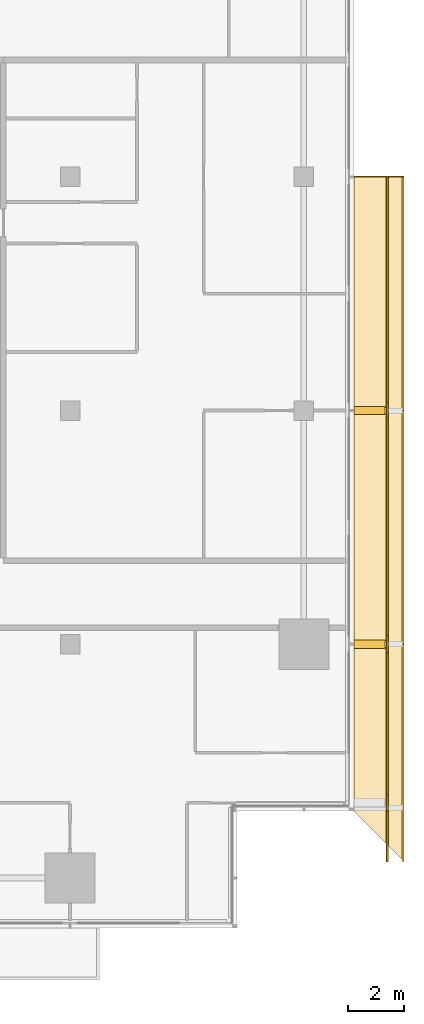
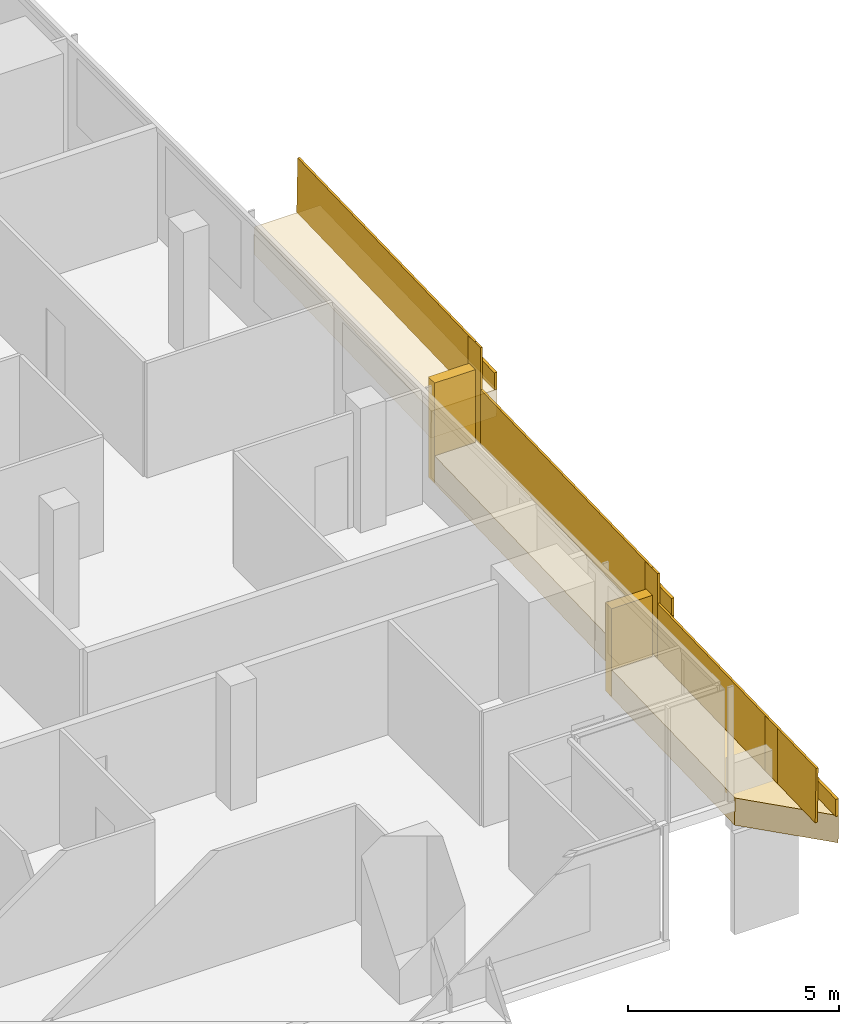
# One storey, part 29 of 29: 8 coverings, 6 railings.
"""IFC4 building model written with IfcOpenShell, lengths in metres."""

from ifc_helpers import new_model, si_unit, direction, frame, origin, origin_2d, place, context, subcontext, project, spatial, polyline, rectangle, outline, extrude, material, layer, layer_set, type_object, element, save


model = new_model("IFC4")

# Units and contexts
model_context = context("Model", 3, precision=1e-05, world=origin(), true_north=direction((0.0, 1.0)))
body_context = subcontext(model_context, "Body", "Model", "MODEL_VIEW")
ifc_project = project(units=[si_unit("LENGTHUNIT", "METRE"), si_unit("AREAUNIT", "SQUARE_METRE"), si_unit("VOLUMEUNIT", "CUBIC_METRE"), si_unit("PLANEANGLEUNIT", "RADIAN"), si_unit("MASSUNIT", "GRAM", prefix="KILO")], contexts=[model_context])

# Site, building, storey
site_placement = place(None, origin())
site = spatial("IfcSite", under=ifc_project, at=site_placement, CompositionType="ELEMENT")
building_placement = place(site_placement, origin())
building = spatial("IfcBuilding", under=site, at=building_placement, Name="Saffron Gate Tower", CompositionType="ELEMENT")
storey_placement = place(building_placement, frame((0.0, 0.0, 161.85009765625)))
storey = spatial("IfcBuildingStorey", under=building, at=storey_placement, Name="L39", CompositionType="ELEMENT", Elevation=161.85009765625)

# Coverings
ifc_material = material(Name="Timber, thermally modified ash", Category="wood")
ifc_layer_1 = layer(ifc_material, 0.800048828125)
ifc_layer_set_1 = layer_set([ifc_layer_1], Name="LD1 ledge timber")
covering_type_1 = type_object("IfcCoveringType", Name="LD1 ledge timber", PredefinedType="CLADDING", material=ifc_layer_set_1)
covering_1_placement = place(storey_placement, frame((127.199951171875, 34.199951171875, 0.09912109375), z_axis=(3.5027307e-05, -0.028807146299, 0.99958498743), x_axis=(3.68e-10, 0.999584988043, 0.028807146316)))
element("IfcCovering", 1, at=covering_1_placement, inside=storey, type_object=covering_type_1, Name="LEDGE", PredefinedType="CLADDING", context=body_context, shape_type="SweptSolid", body=[
    extrude(outline(polyline([(0.0, 0.0), (6.0024892885105, 2.541098841762901e-21), (6.002489289172793, -1.8000488270207489), (-1.800799813548424, -1.8000488321003227), (0.0, 0.0)])), origin(), (0.0, 0.0, -1.0), 0.800048828125),
])
covering_2_placement = place(storey_placement, frame((127.199951171875, 40.199951171875, 1.12939453125), z_axis=(0.0, -0.028790339263, 0.999585472266), x_axis=(0.0, 0.999585472266, 0.028790339263)))
element("IfcCovering", 2, at=covering_2_placement, inside=storey, type_object=covering_type_1, Name="LEDGE", PredefinedType="CLADDING", context=body_context, shape_type="SweptSolid", body=[
    extrude(outline(polyline([(0.0, 0.0), (8.403630022085892, 0.0), (8.403630022085892, -1.800048828125), (0.0, -1.800048828125), (0.0, 0.0)])), origin(), (0.0, 0.0, -1.0), 0.800048828125),
])
covering_3_placement = place(storey_placement, frame((127.199951171875, 48.60009765625, 2.57177734375), z_axis=(0.0, -0.028791175352, 0.999585448184), x_axis=(0.0, 0.999585448184, 0.028791175352)))
element("IfcCovering", 3, at=covering_3_placement, inside=storey, type_object=covering_type_1, Name="LEDGE", PredefinedType="CLADDING", context=body_context, shape_type="SweptSolid", body=[
    extrude(outline(polyline([(0.0, 0.0), (8.403385982666892, 0.0), (8.403385982666892, -1.800048828125), (0.0, -1.800048828125), (0.0, 0.0)])), origin(), (0.0, 0.0, -1.0), 0.800048828125),
])
ifc_layer_2 = layer(ifc_material, 0.080078125)
ifc_layer_set_2 = layer_set([ifc_layer_2], Name="LD2 ledge planter trough")
covering_type_2 = type_object("IfcCoveringType", Name="LD2 ledge planter trough", PredefinedType="CLADDING", material=ifc_layer_set_2)
covering_4_placement = place(storey_placement, frame((129.0, 32.39990234375, 0.047119140625), z_axis=(1.0, 0.0, 0.0), x_axis=(0.0, 0.999584755248, 0.028815222999)))
element("IfcCovering", 4, at=covering_4_placement, inside=storey, type_object=covering_type_2, Name="LEDGE planter trough", PredefinedType="CLADDING", context=body_context, shape_type="SweptSolid", body=[
    extrude(outline(polyline([(0.0, 0.0), (7.803289102975944, 0.0), (7.8176967144752565, 0.4997923776238338), (0.014407611499312996, 0.4997923776238338), (0.0, 0.0)])), origin(), (0.0, 0.0, -1.0), 0.080078125),
])
covering_5_placement = place(storey_placement, frame((129.0, 40.199951171875, 1.12939453125), z_axis=(1.0, 0.0, 0.0), x_axis=(0.0, 0.999585472266, 0.028790339263)))
element("IfcCovering", 5, at=covering_5_placement, inside=storey, type_object=covering_type_2, Name="LEDGE planter trough", PredefinedType="CLADDING", context=body_context, shape_type="SweptSolid", body=[
    extrude(outline(polyline([(0.0, 0.0), (8.403630022085892, 0.0), (8.418025191717298, 0.4997927361329725), (0.014395169631405694, 0.4997927361329725), (0.0, 0.0)])), origin(), (0.0, 0.0, -1.0), 0.080078125),
])
covering_6_placement = place(storey_placement, frame((129.0, 48.60009765625, 2.57177734375), z_axis=(1.0, 0.0, 0.0), x_axis=(0.0, 0.999585448184, 0.028791175352)))
element("IfcCovering", 6, at=covering_6_placement, inside=storey, type_object=covering_type_2, Name="LEDGE planter trough", PredefinedType="CLADDING", context=body_context, shape_type="SweptSolid", body=[
    extrude(outline(polyline([(0.0, 0.0), (8.403385982666892, 0.0), (8.417781570342743, 0.49979272409216496), (0.014395587675851172, 0.4997927240921649), (0.0, 0.0)])), origin(), (0.0, 0.0, -1.0), 0.080078125),
])
ifc_layer_3 = layer(ifc_material, 0.300048828125)
ifc_layer_set_3 = layer_set([ifc_layer_3], Name="LD3 ledge riser fin")
covering_type_3 = type_object("IfcCoveringType", Name="LD3 ledge riser fin", PredefinedType="CLADDING", material=ifc_layer_set_3)
covering_7_placement = place(storey_placement, frame((127.760009765625, 40.199951171875, -0.52783203125), z_axis=(0.0, 0.0, 1.0), x_axis=(0.0, 1.0, 0.0)))
element("IfcCovering", 7, at=covering_7_placement, inside=storey, type_object=covering_type_3, Name="LEDGE riser fin", PredefinedType="CLADDING", context=body_context, shape_type="SweptSolid", body=[
    extrude(rectangle(XDim=0.300048828125, YDim=1.1201171875, at=origin_2d()), origin(), (0.0, 0.0, 1.0), 2.557373046875),
])
covering_8_placement = place(storey_placement, frame((127.760009765625, 48.60009765625, 0.5712890625), z_axis=(0.0, 0.0, 1.0), x_axis=(0.0, 1.0, 0.0)))
element("IfcCovering", 8, at=covering_8_placement, inside=storey, type_object=covering_type_3, Name="LEDGE riser fin", PredefinedType="CLADDING", context=body_context, shape_type="SweptSolid", body=[
    extrude(rectangle(XDim=0.300048828125, YDim=1.1201171875, at=origin_2d()), origin(), (0.0, 0.0, 1.0), 2.900390625),
])

# Railings
railing_type = type_object("IfcRailingType", Name="LG1 ledge balustrade", PredefinedType="BALUSTRADE", material=ifc_material)
railing_1_placement = place(storey_placement, frame((128.39990234375, 32.39990234375, 0.047119140625)))
element("IfcRailing", 9, at=railing_1_placement, inside=storey, type_object=railing_type, Name="LEDGE BALUSTRADE", PredefinedType="BALUSTRADE", context=body_context, shape_type="SweptSolid", body=[
    extrude(rectangle(XDim=0.06005859375, YDim=1.60009765625, at=origin_2d()), frame((0.0, 0.0, 0.800048828125), z_axis=(0.0, 0.999584755248, 0.028815222999), x_axis=(-1.0, 0.0, 0.0)), (0.0, 0.0, 1.0), 7.80322265625),
])
railing_2_placement = place(storey_placement, frame((128.39990234375, 34.199951171875, -0.158203125)))
element("IfcRailing", 10, at=railing_2_placement, inside=storey, type_object=railing_type, Name="LEDGE BALUSTRADE", PredefinedType="BALUSTRADE", context=body_context, shape_type="SweptSolid", body=[
    extrude(rectangle(XDim=0.06005859375, YDim=1.857177734375, at=origin_2d()), frame((0.0, 0.0, 0.9287109375), z_axis=(0.0, 1.0, 0.0), x_axis=(-1.0, 0.0, 0.0)), (0.0, 0.0, 1.0), 0.60009765625),
])
railing_3_placement = place(storey_placement, frame((128.39990234375, 40.199951171875, 1.12939453125)))
element("IfcRailing", 11, at=railing_3_placement, inside=storey, type_object=railing_type, Name="LEDGE BALUSTRADE", PredefinedType="BALUSTRADE", context=body_context, shape_type="SweptSolid", body=[
    extrude(rectangle(XDim=0.06005859375, YDim=1.60009765625, at=origin_2d()), frame((0.0, 0.0, 0.800048828125), z_axis=(0.0, 0.999585472266, 0.028790339263), x_axis=(-1.0, 0.0, 0.0)), (0.0, 0.0, 1.0), 8.403564453125),
])
railing_4_placement = place(storey_placement, frame((128.39990234375, 39.89990234375, 0.27197265625)))
element("IfcRailing", 12, at=railing_4_placement, inside=storey, type_object=railing_type, Name="LEDGE BALUSTRADE", PredefinedType="BALUSTRADE", context=body_context, shape_type="SweptSolid", body=[
    extrude(rectangle(XDim=0.06005859375, YDim=2.45751953125, at=origin_2d()), frame((0.0, 0.0, 1.228759765625), z_axis=(0.0, 1.0, 0.0), x_axis=(-1.0, 0.0, 0.0)), (0.0, 0.0, 1.0), 0.60009765625),
])
railing_5_placement = place(storey_placement, frame((128.39990234375, 48.60009765625, 2.57177734375)))
element("IfcRailing", 13, at=railing_5_placement, inside=storey, type_object=railing_type, Name="LEDGE BALUSTRADE", PredefinedType="BALUSTRADE", context=body_context, shape_type="SweptSolid", body=[
    extrude(rectangle(XDim=0.06005859375, YDim=1.60009765625, at=origin_2d()), frame((0.0, 0.0, 0.800048828125), z_axis=(0.0, 0.999585448184, 0.028791175352), x_axis=(-1.0, 0.0, 0.0)), (0.0, 0.0, 1.0), 8.4033203125),
])
railing_6_placement = place(storey_placement, frame((128.39990234375, 48.300048828125, 1.371337890625)))
element("IfcRailing", 14, at=railing_6_placement, inside=storey, type_object=railing_type, Name="LEDGE BALUSTRADE", PredefinedType="BALUSTRADE", context=body_context, shape_type="SweptSolid", body=[
    extrude(rectangle(XDim=0.06005859375, YDim=2.80029296875, at=origin_2d()), frame((0.0, 0.0, 1.400146484375), z_axis=(0.0, 1.0, 0.0), x_axis=(-1.0, 0.0, 0.0)), (0.0, 0.0, 1.0), 0.599853515625),
])

save(model, "model.ifc")
